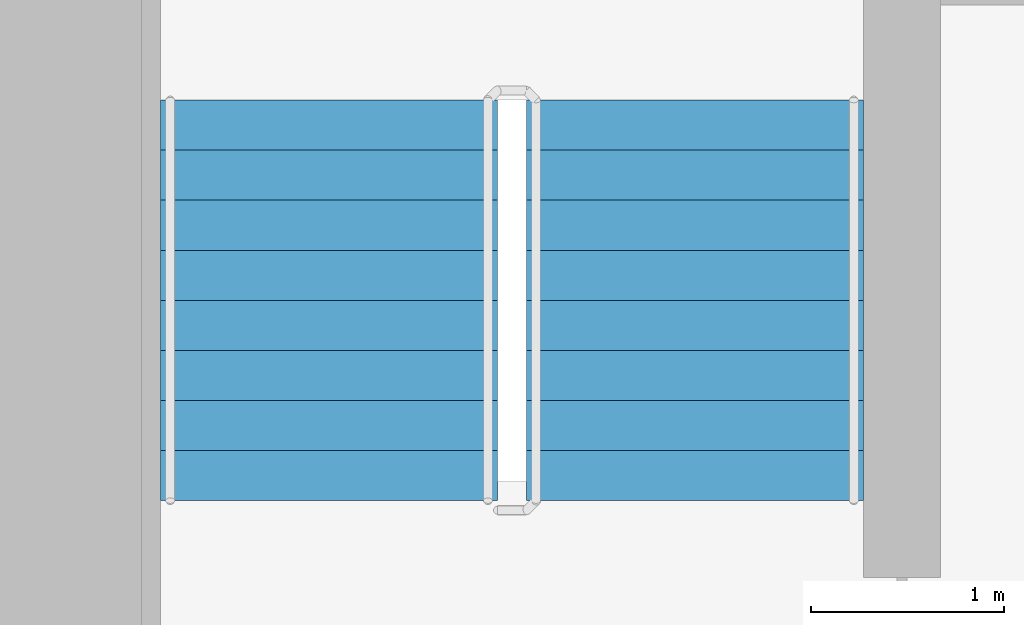
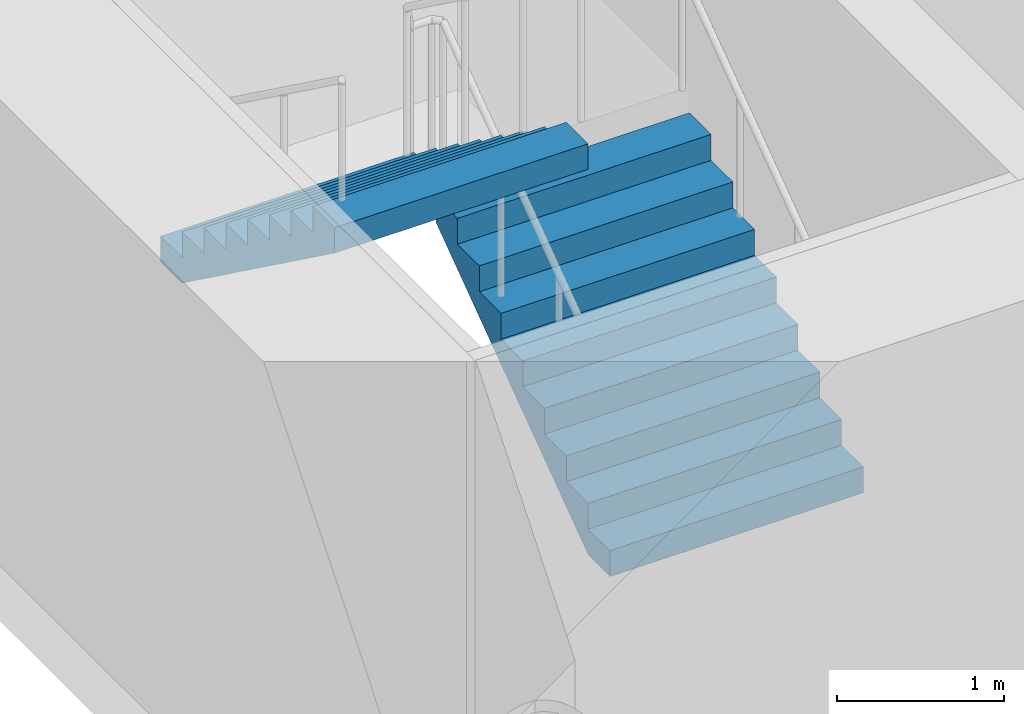
# One storey, part 19 of 21: 2 stair flights, 1 element without a shape of its own.
"""IFC4 building model written with IfcOpenShell, lengths in metres."""

from ifc_helpers import new_model, si_unit, direction, frame, origin, place, context, subcontext, project, spatial, faceted_brep, material, type_object, element, aggregate, save


model = new_model("IFC4")

# Units and contexts
model_context = context("Model", 3, precision=1e-05, world=origin(), true_north=direction((0.0, 1.0)))
body_context = subcontext(model_context, "Body", "Model", "MODEL_VIEW")
ifc_project = project(units=[si_unit("LENGTHUNIT", "METRE"), si_unit("AREAUNIT", "SQUARE_METRE"), si_unit("VOLUMEUNIT", "CUBIC_METRE"), si_unit("PLANEANGLEUNIT", "RADIAN"), si_unit("MASSUNIT", "GRAM", prefix="KILO")], contexts=[model_context])

# Site, building, storey
site_placement = place(None, origin())
site = spatial("IfcSite", under=ifc_project, at=site_placement, CompositionType="ELEMENT")
building_placement = place(site_placement, origin())
building = spatial("IfcBuilding", under=site, at=building_placement, Name="Ipe Terrace Towers", CompositionType="ELEMENT")
storey_placement = place(building_placement, frame((0.0, 0.0, 27.89990234375)))
storey = spatial("IfcBuildingStorey", under=building, at=storey_placement, Name="L06", CompositionType="ELEMENT", Elevation=27.89990234375)

# Stair, stair flights
ifc_material_1 = material(Name="Concrete C30/37", Category="concrete")
stair_type = type_object("IfcStairType", Name="Protected exit stair", PredefinedType="HALF_TURN_STAIR", material=ifc_material_1)
stair_placement = place(storey_placement, origin())
stair = element("IfcStair", 1, at=stair_placement, inside=storey, type_object=stair_type, Name="L06 Exit stair T2-C1", PredefinedType="HALF_TURN_STAIR")
ifc_material_2 = material(Name="Concrete C30/37", Category="concrete")
stair_flight_type = type_object("IfcStairFlightType", Name="Exit stair flight 1750", PredefinedType="STRAIGHT", material=ifc_material_2)
stair_flight_1_placement = place(storey_placement, frame((33.22509765625, 9.699951171875, 0.0), z_axis=(0.0, 0.0, 1.0), x_axis=(0.0, 1.0, 0.0)))
stair_flight_1 = element("IfcStairFlight", 2, at=stair_flight_1_placement, type_object=stair_flight_type, Name="T2-ST1 flight 1", NumberOfRisers=9, NumberOfTreads=8, PredefinedType="STRAIGHT", RiserHeight=0.188888889, TreadLength=0.26, context=body_context, shape_type="Brep", body=[
    faceted_brep([(0.255126953125, -0.875, 0.0), (2.080078125, -0.875, 1.325927734375), (2.080078125, -0.875, 1.51123046875), (1.820068359375, -0.875, 1.51123046875), (1.820068359375, -0.875, 1.322265625), (1.56005859375, -0.875, 1.322265625), (1.56005859375, -0.875, 1.13330078125), (1.300048828125, -0.875, 1.13330078125), (1.300048828125, -0.875, 0.9443359375), (1.0400390625, -0.875, 0.9443359375), (1.0400390625, -0.875, 0.755615234375), (0.780029296875, -0.875, 0.755615234375), (0.780029296875, -0.875, 0.566650390625), (0.52001953125, -0.875, 0.566650390625), (0.52001953125, -0.875, 0.377685546875), (0.260009765625, -0.875, 0.377685546875), (0.260009765625, -0.875, 0.18896484375), (0.0, -0.875, 0.18896484375), (0.0, -0.875, 0.0), (0.0, 0.875, 0.0), (0.0, 0.875, 0.18896484375), (0.260009765625, 0.875, 0.18896484375), (0.260009765625, 0.875, 0.377685546875), (0.52001953125, 0.875, 0.377685546875), (0.52001953125, 0.875, 0.566650390625), (0.780029296875, 0.875, 0.566650390625), (0.780029296875, 0.875, 0.755615234375), (1.0400390625, 0.875, 0.755615234375), (1.0400390625, 0.875, 0.9443359375), (1.300048828125, 0.875, 0.9443359375), (1.300048828125, 0.875, 1.13330078125), (1.56005859375, 0.875, 1.13330078125), (1.56005859375, 0.875, 1.322265625), (1.820068359375, 0.875, 1.322265625), (1.820068359375, 0.875, 1.51123046875), (2.080078125, 0.875, 1.51123046875), (2.080078125, 0.875, 1.325927734375), (0.255126953125, 0.875, 0.0), (0.0, -0.300048828125, 0.18896484375), (0.0, -0.1201171875, 0.18896484375), (0.0, -0.06005859375, 0.18896484375), (0.0, -0.030029296875, 0.18896484375), (0.0, -0.010009765625, 0.18896484375), (0.0, 0.0, 0.18896484375), (0.0, 0.010009765625, 0.18896484375), (0.0, 0.030029296875, 0.18896484375), (0.0, 0.06005859375, 0.18896484375), (0.0, 0.1201171875, 0.18896484375), (0.0, 0.300048828125, 0.18896484375), (0.0, 0.300048828125, 0.0), (0.0, 0.1201171875, 0.0), (0.0, 0.06005859375, 0.0), (0.0, 0.030029296875, 0.0), (0.0, 0.010009765625, 0.0), (0.0, 0.0, 0.0), (0.0, -0.010009765625, 0.0), (0.0, -0.030029296875, 0.0), (0.0, -0.06005859375, 0.0), (0.0, -0.1201171875, 0.0), (0.0, -0.300048828125, 0.0), (0.260009765625, -0.300048828125, 0.18896484375), (0.260009765625, -0.1201171875, 0.18896484375), (0.260009765625, -0.06005859375, 0.18896484375), (0.260009765625, -0.030029296875, 0.18896484375), (0.260009765625, -0.010009765625, 0.18896484375), (0.260009765625, 0.0, 0.18896484375), (0.260009765625, 0.010009765625, 0.18896484375), (0.260009765625, 0.030029296875, 0.18896484375), (0.260009765625, 0.06005859375, 0.18896484375), (0.260009765625, 0.1201171875, 0.18896484375), (0.260009765625, 0.300048828125, 0.18896484375), (0.260009765625, -0.300048828125, 0.377685546875), (0.260009765625, -0.1201171875, 0.377685546875), (0.260009765625, -0.06005859375, 0.377685546875), (0.260009765625, -0.030029296875, 0.377685546875), (0.260009765625, -0.010009765625, 0.377685546875), (0.260009765625, 0.0, 0.377685546875), (0.260009765625, 0.010009765625, 0.377685546875), (0.260009765625, 0.030029296875, 0.377685546875), (0.260009765625, 0.06005859375, 0.377685546875), (0.260009765625, 0.1201171875, 0.377685546875), (0.260009765625, 0.300048828125, 0.377685546875), (0.52001953125, -0.300048828125, 0.377685546875), (0.52001953125, -0.1201171875, 0.377685546875), (0.52001953125, -0.06005859375, 0.377685546875), (0.52001953125, -0.030029296875, 0.377685546875), (0.52001953125, -0.010009765625, 0.377685546875), (0.52001953125, 0.0, 0.377685546875), (0.52001953125, 0.010009765625, 0.377685546875), (0.52001953125, 0.030029296875, 0.377685546875), (0.52001953125, 0.06005859375, 0.377685546875), (0.52001953125, 0.1201171875, 0.377685546875), (0.52001953125, 0.300048828125, 0.377685546875), (0.52001953125, -0.300048828125, 0.566650390625), (0.52001953125, -0.1201171875, 0.566650390625), (0.52001953125, -0.06005859375, 0.566650390625), (0.52001953125, -0.030029296875, 0.566650390625), (0.52001953125, -0.010009765625, 0.566650390625), (0.52001953125, 0.0, 0.566650390625), (0.52001953125, 0.010009765625, 0.566650390625), (0.52001953125, 0.030029296875, 0.566650390625), (0.52001953125, 0.06005859375, 0.566650390625), (0.52001953125, 0.1201171875, 0.566650390625), (0.52001953125, 0.300048828125, 0.566650390625), (0.780029296875, -0.300048828125, 0.566650390625), (0.780029296875, -0.1201171875, 0.566650390625), (0.780029296875, -0.06005859375, 0.566650390625), (0.780029296875, -0.030029296875, 0.566650390625), (0.780029296875, -0.010009765625, 0.566650390625), (0.780029296875, 0.0, 0.566650390625), (0.780029296875, 0.010009765625, 0.566650390625), (0.780029296875, 0.030029296875, 0.566650390625), (0.780029296875, 0.06005859375, 0.566650390625), (0.780029296875, 0.1201171875, 0.566650390625), (0.780029296875, 0.300048828125, 0.566650390625), (0.780029296875, -0.300048828125, 0.755615234375), (0.780029296875, -0.1201171875, 0.755615234375), (0.780029296875, -0.06005859375, 0.755615234375), (0.780029296875, -0.030029296875, 0.755615234375), (0.780029296875, -0.010009765625, 0.755615234375), (0.780029296875, 0.0, 0.755615234375), (0.780029296875, 0.010009765625, 0.755615234375), (0.780029296875, 0.030029296875, 0.755615234375), (0.780029296875, 0.06005859375, 0.755615234375), (0.780029296875, 0.1201171875, 0.755615234375), (0.780029296875, 0.300048828125, 0.755615234375), (1.0400390625, -0.300048828125, 0.755615234375), (1.0400390625, -0.1201171875, 0.755615234375), (1.0400390625, -0.06005859375, 0.755615234375), (1.0400390625, -0.030029296875, 0.755615234375), (1.0400390625, -0.010009765625, 0.755615234375), (1.0400390625, 0.0, 0.755615234375), (1.0400390625, 0.010009765625, 0.755615234375), (1.0400390625, 0.030029296875, 0.755615234375), (1.0400390625, 0.06005859375, 0.755615234375), (1.0400390625, 0.1201171875, 0.755615234375), (1.0400390625, 0.300048828125, 0.755615234375), (1.0400390625, -0.300048828125, 0.9443359375), (1.0400390625, -0.1201171875, 0.9443359375), (1.0400390625, -0.06005859375, 0.9443359375), (1.0400390625, -0.030029296875, 0.9443359375), (1.0400390625, -0.010009765625, 0.9443359375), (1.0400390625, 0.0, 0.9443359375), (1.0400390625, 0.010009765625, 0.9443359375), (1.0400390625, 0.030029296875, 0.9443359375), (1.0400390625, 0.06005859375, 0.9443359375), (1.0400390625, 0.1201171875, 0.9443359375), (1.0400390625, 0.300048828125, 0.9443359375), (1.300048828125, -0.300048828125, 0.9443359375), (1.300048828125, -0.1201171875, 0.9443359375), (1.300048828125, -0.06005859375, 0.9443359375), (1.300048828125, -0.030029296875, 0.9443359375), (1.300048828125, -0.010009765625, 0.9443359375), (1.300048828125, 0.0, 0.9443359375), (1.300048828125, 0.010009765625, 0.9443359375), (1.300048828125, 0.030029296875, 0.9443359375), (1.300048828125, 0.06005859375, 0.9443359375), (1.300048828125, 0.1201171875, 0.9443359375), (1.300048828125, 0.300048828125, 0.9443359375), (1.300048828125, -0.300048828125, 1.13330078125), (1.300048828125, -0.1201171875, 1.13330078125), (1.300048828125, -0.06005859375, 1.13330078125), (1.300048828125, -0.030029296875, 1.13330078125), (1.300048828125, -0.010009765625, 1.13330078125), (1.300048828125, 0.0, 1.13330078125), (1.300048828125, 0.010009765625, 1.13330078125), (1.300048828125, 0.030029296875, 1.13330078125), (1.300048828125, 0.06005859375, 1.13330078125), (1.300048828125, 0.1201171875, 1.13330078125), (1.300048828125, 0.300048828125, 1.13330078125), (1.56005859375, -0.300048828125, 1.13330078125), (1.56005859375, -0.1201171875, 1.13330078125), (1.56005859375, -0.06005859375, 1.13330078125), (1.56005859375, -0.030029296875, 1.13330078125), (1.56005859375, -0.010009765625, 1.13330078125), (1.56005859375, 0.0, 1.13330078125), (1.56005859375, 0.010009765625, 1.13330078125), (1.56005859375, 0.030029296875, 1.13330078125), (1.56005859375, 0.06005859375, 1.13330078125), (1.56005859375, 0.1201171875, 1.13330078125), (1.56005859375, 0.300048828125, 1.13330078125), (1.56005859375, -0.300048828125, 1.322265625), (1.56005859375, -0.1201171875, 1.322265625), (1.56005859375, -0.06005859375, 1.322265625), (1.56005859375, -0.030029296875, 1.322265625), (1.56005859375, -0.010009765625, 1.322265625), (1.56005859375, 0.0, 1.322265625), (1.56005859375, 0.010009765625, 1.322265625), (1.56005859375, 0.030029296875, 1.322265625), (1.56005859375, 0.06005859375, 1.322265625), (1.56005859375, 0.1201171875, 1.322265625), (1.56005859375, 0.300048828125, 1.322265625), (1.820068359375, -0.300048828125, 1.322265625), (1.820068359375, -0.1201171875, 1.322265625), (1.820068359375, -0.06005859375, 1.322265625), (1.820068359375, -0.030029296875, 1.322265625), (1.820068359375, -0.010009765625, 1.322265625), (1.820068359375, 0.0, 1.322265625), (1.820068359375, 0.010009765625, 1.322265625), (1.820068359375, 0.030029296875, 1.322265625), (1.820068359375, 0.06005859375, 1.322265625), (1.820068359375, 0.1201171875, 1.322265625), (1.820068359375, 0.300048828125, 1.322265625), (1.820068359375, -0.300048828125, 1.51123046875), (1.820068359375, -0.1201171875, 1.51123046875), (1.820068359375, -0.06005859375, 1.51123046875), (1.820068359375, -0.030029296875, 1.51123046875), (1.820068359375, -0.010009765625, 1.51123046875), (1.820068359375, 0.0, 1.51123046875), (1.820068359375, 0.010009765625, 1.51123046875), (1.820068359375, 0.030029296875, 1.51123046875), (1.820068359375, 0.06005859375, 1.51123046875), (1.820068359375, 0.1201171875, 1.51123046875), (1.820068359375, 0.300048828125, 1.51123046875), (2.080078125, -0.300048828125, 1.51123046875), (2.080078125, -0.1201171875, 1.51123046875), (2.080078125, -0.06005859375, 1.51123046875), (2.080078125, -0.030029296875, 1.51123046875), (2.080078125, -0.010009765625, 1.51123046875), (2.080078125, 0.0, 1.51123046875), (2.080078125, 0.010009765625, 1.51123046875), (2.080078125, 0.030029296875, 1.51123046875), (2.080078125, 0.06005859375, 1.51123046875), (2.080078125, 0.1201171875, 1.51123046875), (2.080078125, 0.300048828125, 1.51123046875), (2.080078125, -0.300048828125, 1.325927734375), (2.080078125, -0.1201171875, 1.325927734375), (2.080078125, -0.06005859375, 1.325927734375), (2.080078125, -0.030029296875, 1.325927734375), (2.080078125, -0.010009765625, 1.325927734375), (2.080078125, 0.0, 1.325927734375), (2.080078125, 0.010009765625, 1.325927734375), (2.080078125, 0.030029296875, 1.325927734375), (2.080078125, 0.06005859375, 1.325927734375), (2.080078125, 0.1201171875, 1.325927734375), (2.080078125, 0.300048828125, 1.325927734375), (0.255126953125, -0.300048828125, 0.0), (0.255126953125, -0.1201171875, 0.0), (0.255126953125, -0.06005859375, 0.0), (0.255126953125, -0.030029296875, 0.0), (0.255126953125, -0.010009765625, 0.0), (0.255126953125, 0.0, 0.0), (0.255126953125, 0.010009765625, 0.0), (0.255126953125, 0.030029296875, 0.0), (0.255126953125, 0.06005859375, 0.0), (0.255126953125, 0.1201171875, 0.0), (0.255126953125, 0.300048828125, 0.0)], [[[0, 1, 2, 3, 4, 5, 6, 7, 8, 9, 10, 11, 12, 13, 14, 15, 16, 17, 18]], [[19, 20, 21, 22, 23, 24, 25, 26, 27, 28, 29, 30, 31, 32, 33, 34, 35, 36, 37]], [[17, 38, 39, 40, 41, 42, 43, 44, 45, 46, 47, 48, 20, 19, 49, 50, 51, 52, 53, 54, 55, 56, 57, 58, 59, 18]], [[16, 60, 61, 62, 63, 64, 65, 66, 67, 68, 69, 70, 21, 20, 48, 47, 46, 45, 44, 43, 42, 41, 40, 39, 38, 17]], [[15, 71, 72, 73, 74, 75, 76, 77, 78, 79, 80, 81, 22, 21, 70, 69, 68, 67, 66, 65, 64, 63, 62, 61, 60, 16]], [[14, 82, 83, 84, 85, 86, 87, 88, 89, 90, 91, 92, 23, 22, 81, 80, 79, 78, 77, 76, 75, 74, 73, 72, 71, 15]], [[13, 93, 94, 95, 96, 97, 98, 99, 100, 101, 102, 103, 24, 23, 92, 91, 90, 89, 88, 87, 86, 85, 84, 83, 82, 14]], [[12, 104, 105, 106, 107, 108, 109, 110, 111, 112, 113, 114, 25, 24, 103, 102, 101, 100, 99, 98, 97, 96, 95, 94, 93, 13]], [[11, 115, 116, 117, 118, 119, 120, 121, 122, 123, 124, 125, 26, 25, 114, 113, 112, 111, 110, 109, 108, 107, 106, 105, 104, 12]], [[10, 126, 127, 128, 129, 130, 131, 132, 133, 134, 135, 136, 27, 26, 125, 124, 123, 122, 121, 120, 119, 118, 117, 116, 115, 11]], [[9, 137, 138, 139, 140, 141, 142, 143, 144, 145, 146, 147, 28, 27, 136, 135, 134, 133, 132, 131, 130, 129, 128, 127, 126, 10]], [[8, 148, 149, 150, 151, 152, 153, 154, 155, 156, 157, 158, 29, 28, 147, 146, 145, 144, 143, 142, 141, 140, 139, 138, 137, 9]], [[7, 159, 160, 161, 162, 163, 164, 165, 166, 167, 168, 169, 30, 29, 158, 157, 156, 155, 154, 153, 152, 151, 150, 149, 148, 8]], [[6, 170, 171, 172, 173, 174, 175, 176, 177, 178, 179, 180, 31, 30, 169, 168, 167, 166, 165, 164, 163, 162, 161, 160, 159, 7]], [[5, 181, 182, 183, 184, 185, 186, 187, 188, 189, 190, 191, 32, 31, 180, 179, 178, 177, 176, 175, 174, 173, 172, 171, 170, 6]], [[4, 192, 193, 194, 195, 196, 197, 198, 199, 200, 201, 202, 33, 32, 191, 190, 189, 188, 187, 186, 185, 184, 183, 182, 181, 5]], [[3, 203, 204, 205, 206, 207, 208, 209, 210, 211, 212, 213, 34, 33, 202, 201, 200, 199, 198, 197, 196, 195, 194, 193, 192, 4]], [[2, 214, 215, 216, 217, 218, 219, 220, 221, 222, 223, 224, 35, 34, 213, 212, 211, 210, 209, 208, 207, 206, 205, 204, 203, 3]], [[1, 225, 226, 227, 228, 229, 230, 231, 232, 233, 234, 235, 36, 35, 224, 223, 222, 221, 220, 219, 218, 217, 216, 215, 214, 2]], [[0, 236, 237, 238, 239, 240, 241, 242, 243, 244, 245, 246, 37, 36, 235, 234, 233, 232, 231, 230, 229, 228, 227, 226, 225, 1]], [[18, 59, 58, 57, 56, 55, 54, 53, 52, 51, 50, 49, 19, 37, 246, 245, 244, 243, 242, 241, 240, 239, 238, 237, 236, 0]]]),
])
stair_flight_2_placement = place(storey_placement, frame((31.324951171875, 11.780029296875, 1.7001953125), z_axis=(0.0, 0.0, 1.0), x_axis=(0.0, -1.0, 0.0)))
stair_flight_2 = element("IfcStairFlight", 3, at=stair_flight_2_placement, type_object=stair_flight_type, Name="T2-ST1 flight 2", NumberOfRisers=9, NumberOfTreads=8, PredefinedType="STRAIGHT", RiserHeight=0.188888889, TreadLength=0.26, context=body_context, shape_type="Brep", body=[
    faceted_brep([(0.255126953125, -0.875, 0.0), (2.080078125, -0.875, 1.325927734375), (2.080078125, -0.875, 1.51123046875), (1.820068359375, -0.875, 1.51123046875), (1.820068359375, -0.875, 1.322265625), (1.56005859375, -0.875, 1.322265625), (1.56005859375, -0.875, 1.13330078125), (1.300048828125, -0.875, 1.13330078125), (1.300048828125, -0.875, 0.9443359375), (1.0400390625, -0.875, 0.9443359375), (1.0400390625, -0.875, 0.755615234375), (0.780029296875, -0.875, 0.755615234375), (0.780029296875, -0.875, 0.566650390625), (0.52001953125, -0.875, 0.566650390625), (0.52001953125, -0.875, 0.377685546875), (0.260009765625, -0.875, 0.377685546875), (0.260009765625, -0.875, 0.18896484375), (0.0, -0.875, 0.18896484375), (0.0, -0.875, 0.0), (0.0, 0.875, 0.0), (0.0, 0.875, 0.18896484375), (0.260009765625, 0.875, 0.18896484375), (0.260009765625, 0.875, 0.377685546875), (0.52001953125, 0.875, 0.377685546875), (0.52001953125, 0.875, 0.566650390625), (0.780029296875, 0.875, 0.566650390625), (0.780029296875, 0.875, 0.755615234375), (1.0400390625, 0.875, 0.755615234375), (1.0400390625, 0.875, 0.9443359375), (1.300048828125, 0.875, 0.9443359375), (1.300048828125, 0.875, 1.13330078125), (1.56005859375, 0.875, 1.13330078125), (1.56005859375, 0.875, 1.322265625), (1.820068359375, 0.875, 1.322265625), (1.820068359375, 0.875, 1.51123046875), (2.080078125, 0.875, 1.51123046875), (2.080078125, 0.875, 1.325927734375), (0.255126953125, 0.875, 0.0), (0.0, -0.300048828125, 0.18896484375), (0.0, -0.1201171875, 0.18896484375), (0.0, -0.06005859375, 0.18896484375), (0.0, -0.030029296875, 0.18896484375), (0.0, -0.010009765625, 0.18896484375), (0.0, 0.0, 0.18896484375), (0.0, 0.010009765625, 0.18896484375), (0.0, 0.030029296875, 0.18896484375), (0.0, 0.06005859375, 0.18896484375), (0.0, 0.1201171875, 0.18896484375), (0.0, 0.300048828125, 0.18896484375), (0.0, 0.300048828125, 0.0), (0.0, 0.1201171875, 0.0), (0.0, 0.06005859375, 0.0), (0.0, 0.030029296875, 0.0), (0.0, 0.010009765625, 0.0), (0.0, 0.0, 0.0), (0.0, -0.010009765625, 0.0), (0.0, -0.030029296875, 0.0), (0.0, -0.06005859375, 0.0), (0.0, -0.1201171875, 0.0), (0.0, -0.300048828125, 0.0), (0.260009765625, -0.300048828125, 0.18896484375), (0.260009765625, -0.1201171875, 0.18896484375), (0.260009765625, -0.06005859375, 0.18896484375), (0.260009765625, -0.030029296875, 0.18896484375), (0.260009765625, -0.010009765625, 0.18896484375), (0.260009765625, 0.0, 0.18896484375), (0.260009765625, 0.010009765625, 0.18896484375), (0.260009765625, 0.030029296875, 0.18896484375), (0.260009765625, 0.06005859375, 0.18896484375), (0.260009765625, 0.1201171875, 0.18896484375), (0.260009765625, 0.300048828125, 0.18896484375), (0.260009765625, -0.300048828125, 0.377685546875), (0.260009765625, -0.1201171875, 0.377685546875), (0.260009765625, -0.06005859375, 0.377685546875), (0.260009765625, -0.030029296875, 0.377685546875), (0.260009765625, -0.010009765625, 0.377685546875), (0.260009765625, 0.0, 0.377685546875), (0.260009765625, 0.010009765625, 0.377685546875), (0.260009765625, 0.030029296875, 0.377685546875), (0.260009765625, 0.06005859375, 0.377685546875), (0.260009765625, 0.1201171875, 0.377685546875), (0.260009765625, 0.300048828125, 0.377685546875), (0.52001953125, -0.300048828125, 0.377685546875), (0.52001953125, -0.1201171875, 0.377685546875), (0.52001953125, -0.06005859375, 0.377685546875), (0.52001953125, -0.030029296875, 0.377685546875), (0.52001953125, -0.010009765625, 0.377685546875), (0.52001953125, 0.0, 0.377685546875), (0.52001953125, 0.010009765625, 0.377685546875), (0.52001953125, 0.030029296875, 0.377685546875), (0.52001953125, 0.06005859375, 0.377685546875), (0.52001953125, 0.1201171875, 0.377685546875), (0.52001953125, 0.300048828125, 0.377685546875), (0.52001953125, -0.300048828125, 0.566650390625), (0.52001953125, -0.1201171875, 0.566650390625), (0.52001953125, -0.06005859375, 0.566650390625), (0.52001953125, -0.030029296875, 0.566650390625), (0.52001953125, -0.010009765625, 0.566650390625), (0.52001953125, 0.0, 0.566650390625), (0.52001953125, 0.010009765625, 0.566650390625), (0.52001953125, 0.030029296875, 0.566650390625), (0.52001953125, 0.06005859375, 0.566650390625), (0.52001953125, 0.1201171875, 0.566650390625), (0.52001953125, 0.300048828125, 0.566650390625), (0.780029296875, -0.300048828125, 0.566650390625), (0.780029296875, -0.1201171875, 0.566650390625), (0.780029296875, -0.06005859375, 0.566650390625), (0.780029296875, -0.030029296875, 0.566650390625), (0.780029296875, -0.010009765625, 0.566650390625), (0.780029296875, 0.0, 0.566650390625), (0.780029296875, 0.010009765625, 0.566650390625), (0.780029296875, 0.030029296875, 0.566650390625), (0.780029296875, 0.06005859375, 0.566650390625), (0.780029296875, 0.1201171875, 0.566650390625), (0.780029296875, 0.300048828125, 0.566650390625), (0.780029296875, -0.300048828125, 0.755615234375), (0.780029296875, -0.1201171875, 0.755615234375), (0.780029296875, -0.06005859375, 0.755615234375), (0.780029296875, -0.030029296875, 0.755615234375), (0.780029296875, -0.010009765625, 0.755615234375), (0.780029296875, 0.0, 0.755615234375), (0.780029296875, 0.010009765625, 0.755615234375), (0.780029296875, 0.030029296875, 0.755615234375), (0.780029296875, 0.06005859375, 0.755615234375), (0.780029296875, 0.1201171875, 0.755615234375), (0.780029296875, 0.300048828125, 0.755615234375), (1.0400390625, -0.300048828125, 0.755615234375), (1.0400390625, -0.1201171875, 0.755615234375), (1.0400390625, -0.06005859375, 0.755615234375), (1.0400390625, -0.030029296875, 0.755615234375), (1.0400390625, -0.010009765625, 0.755615234375), (1.0400390625, 0.0, 0.755615234375), (1.0400390625, 0.010009765625, 0.755615234375), (1.0400390625, 0.030029296875, 0.755615234375), (1.0400390625, 0.06005859375, 0.755615234375), (1.0400390625, 0.1201171875, 0.755615234375), (1.0400390625, 0.300048828125, 0.755615234375), (1.0400390625, -0.300048828125, 0.9443359375), (1.0400390625, -0.1201171875, 0.9443359375), (1.0400390625, -0.06005859375, 0.9443359375), (1.0400390625, -0.030029296875, 0.9443359375), (1.0400390625, -0.010009765625, 0.9443359375), (1.0400390625, 0.0, 0.9443359375), (1.0400390625, 0.010009765625, 0.9443359375), (1.0400390625, 0.030029296875, 0.9443359375), (1.0400390625, 0.06005859375, 0.9443359375), (1.0400390625, 0.1201171875, 0.9443359375), (1.0400390625, 0.300048828125, 0.9443359375), (1.300048828125, -0.300048828125, 0.9443359375), (1.300048828125, -0.1201171875, 0.9443359375), (1.300048828125, -0.06005859375, 0.9443359375), (1.300048828125, -0.030029296875, 0.9443359375), (1.300048828125, -0.010009765625, 0.9443359375), (1.300048828125, 0.0, 0.9443359375), (1.300048828125, 0.010009765625, 0.9443359375), (1.300048828125, 0.030029296875, 0.9443359375), (1.300048828125, 0.06005859375, 0.9443359375), (1.300048828125, 0.1201171875, 0.9443359375), (1.300048828125, 0.300048828125, 0.9443359375), (1.300048828125, -0.300048828125, 1.13330078125), (1.300048828125, -0.1201171875, 1.13330078125), (1.300048828125, -0.06005859375, 1.13330078125), (1.300048828125, -0.030029296875, 1.13330078125), (1.300048828125, -0.010009765625, 1.13330078125), (1.300048828125, 0.0, 1.13330078125), (1.300048828125, 0.010009765625, 1.13330078125), (1.300048828125, 0.030029296875, 1.13330078125), (1.300048828125, 0.06005859375, 1.13330078125), (1.300048828125, 0.1201171875, 1.13330078125), (1.300048828125, 0.300048828125, 1.13330078125), (1.56005859375, -0.300048828125, 1.13330078125), (1.56005859375, -0.1201171875, 1.13330078125), (1.56005859375, -0.06005859375, 1.13330078125), (1.56005859375, -0.030029296875, 1.13330078125), (1.56005859375, -0.010009765625, 1.13330078125), (1.56005859375, 0.0, 1.13330078125), (1.56005859375, 0.010009765625, 1.13330078125), (1.56005859375, 0.030029296875, 1.13330078125), (1.56005859375, 0.06005859375, 1.13330078125), (1.56005859375, 0.1201171875, 1.13330078125), (1.56005859375, 0.300048828125, 1.13330078125), (1.56005859375, -0.300048828125, 1.322265625), (1.56005859375, -0.1201171875, 1.322265625), (1.56005859375, -0.06005859375, 1.322265625), (1.56005859375, -0.030029296875, 1.322265625), (1.56005859375, -0.010009765625, 1.322265625), (1.56005859375, 0.0, 1.322265625), (1.56005859375, 0.010009765625, 1.322265625), (1.56005859375, 0.030029296875, 1.322265625), (1.56005859375, 0.06005859375, 1.322265625), (1.56005859375, 0.1201171875, 1.322265625), (1.56005859375, 0.300048828125, 1.322265625), (1.820068359375, -0.300048828125, 1.322265625), (1.820068359375, -0.1201171875, 1.322265625), (1.820068359375, -0.06005859375, 1.322265625), (1.820068359375, -0.030029296875, 1.322265625), (1.820068359375, -0.010009765625, 1.322265625), (1.820068359375, 0.0, 1.322265625), (1.820068359375, 0.010009765625, 1.322265625), (1.820068359375, 0.030029296875, 1.322265625), (1.820068359375, 0.06005859375, 1.322265625), (1.820068359375, 0.1201171875, 1.322265625), (1.820068359375, 0.300048828125, 1.322265625), (1.820068359375, -0.300048828125, 1.51123046875), (1.820068359375, -0.1201171875, 1.51123046875), (1.820068359375, -0.06005859375, 1.51123046875), (1.820068359375, -0.030029296875, 1.51123046875), (1.820068359375, -0.010009765625, 1.51123046875), (1.820068359375, 0.0, 1.51123046875), (1.820068359375, 0.010009765625, 1.51123046875), (1.820068359375, 0.030029296875, 1.51123046875), (1.820068359375, 0.06005859375, 1.51123046875), (1.820068359375, 0.1201171875, 1.51123046875), (1.820068359375, 0.300048828125, 1.51123046875), (2.080078125, -0.300048828125, 1.51123046875), (2.080078125, -0.1201171875, 1.51123046875), (2.080078125, -0.06005859375, 1.51123046875), (2.080078125, -0.030029296875, 1.51123046875), (2.080078125, -0.010009765625, 1.51123046875), (2.080078125, 0.0, 1.51123046875), (2.080078125, 0.010009765625, 1.51123046875), (2.080078125, 0.030029296875, 1.51123046875), (2.080078125, 0.06005859375, 1.51123046875), (2.080078125, 0.1201171875, 1.51123046875), (2.080078125, 0.300048828125, 1.51123046875), (2.080078125, -0.300048828125, 1.325927734375), (2.080078125, -0.1201171875, 1.325927734375), (2.080078125, -0.06005859375, 1.325927734375), (2.080078125, -0.030029296875, 1.325927734375), (2.080078125, -0.010009765625, 1.325927734375), (2.080078125, 0.0, 1.325927734375), (2.080078125, 0.010009765625, 1.325927734375), (2.080078125, 0.030029296875, 1.325927734375), (2.080078125, 0.06005859375, 1.325927734375), (2.080078125, 0.1201171875, 1.325927734375), (2.080078125, 0.300048828125, 1.325927734375), (0.255126953125, -0.300048828125, 0.0), (0.255126953125, -0.1201171875, 0.0), (0.255126953125, -0.06005859375, 0.0), (0.255126953125, -0.030029296875, 0.0), (0.255126953125, -0.010009765625, 0.0), (0.255126953125, 0.0, 0.0), (0.255126953125, 0.010009765625, 0.0), (0.255126953125, 0.030029296875, 0.0), (0.255126953125, 0.06005859375, 0.0), (0.255126953125, 0.1201171875, 0.0), (0.255126953125, 0.300048828125, 0.0)], [[[0, 1, 2, 3, 4, 5, 6, 7, 8, 9, 10, 11, 12, 13, 14, 15, 16, 17, 18]], [[19, 20, 21, 22, 23, 24, 25, 26, 27, 28, 29, 30, 31, 32, 33, 34, 35, 36, 37]], [[17, 38, 39, 40, 41, 42, 43, 44, 45, 46, 47, 48, 20, 19, 49, 50, 51, 52, 53, 54, 55, 56, 57, 58, 59, 18]], [[16, 60, 61, 62, 63, 64, 65, 66, 67, 68, 69, 70, 21, 20, 48, 47, 46, 45, 44, 43, 42, 41, 40, 39, 38, 17]], [[15, 71, 72, 73, 74, 75, 76, 77, 78, 79, 80, 81, 22, 21, 70, 69, 68, 67, 66, 65, 64, 63, 62, 61, 60, 16]], [[14, 82, 83, 84, 85, 86, 87, 88, 89, 90, 91, 92, 23, 22, 81, 80, 79, 78, 77, 76, 75, 74, 73, 72, 71, 15]], [[13, 93, 94, 95, 96, 97, 98, 99, 100, 101, 102, 103, 24, 23, 92, 91, 90, 89, 88, 87, 86, 85, 84, 83, 82, 14]], [[12, 104, 105, 106, 107, 108, 109, 110, 111, 112, 113, 114, 25, 24, 103, 102, 101, 100, 99, 98, 97, 96, 95, 94, 93, 13]], [[11, 115, 116, 117, 118, 119, 120, 121, 122, 123, 124, 125, 26, 25, 114, 113, 112, 111, 110, 109, 108, 107, 106, 105, 104, 12]], [[10, 126, 127, 128, 129, 130, 131, 132, 133, 134, 135, 136, 27, 26, 125, 124, 123, 122, 121, 120, 119, 118, 117, 116, 115, 11]], [[9, 137, 138, 139, 140, 141, 142, 143, 144, 145, 146, 147, 28, 27, 136, 135, 134, 133, 132, 131, 130, 129, 128, 127, 126, 10]], [[8, 148, 149, 150, 151, 152, 153, 154, 155, 156, 157, 158, 29, 28, 147, 146, 145, 144, 143, 142, 141, 140, 139, 138, 137, 9]], [[7, 159, 160, 161, 162, 163, 164, 165, 166, 167, 168, 169, 30, 29, 158, 157, 156, 155, 154, 153, 152, 151, 150, 149, 148, 8]], [[6, 170, 171, 172, 173, 174, 175, 176, 177, 178, 179, 180, 31, 30, 169, 168, 167, 166, 165, 164, 163, 162, 161, 160, 159, 7]], [[5, 181, 182, 183, 184, 185, 186, 187, 188, 189, 190, 191, 32, 31, 180, 179, 178, 177, 176, 175, 174, 173, 172, 171, 170, 6]], [[4, 192, 193, 194, 195, 196, 197, 198, 199, 200, 201, 202, 33, 32, 191, 190, 189, 188, 187, 186, 185, 184, 183, 182, 181, 5]], [[3, 203, 204, 205, 206, 207, 208, 209, 210, 211, 212, 213, 34, 33, 202, 201, 200, 199, 198, 197, 196, 195, 194, 193, 192, 4]], [[2, 214, 215, 216, 217, 218, 219, 220, 221, 222, 223, 224, 35, 34, 213, 212, 211, 210, 209, 208, 207, 206, 205, 204, 203, 3]], [[1, 225, 226, 227, 228, 229, 230, 231, 232, 233, 234, 235, 36, 35, 224, 223, 222, 221, 220, 219, 218, 217, 216, 215, 214, 2]], [[0, 236, 237, 238, 239, 240, 241, 242, 243, 244, 245, 246, 37, 36, 235, 234, 233, 232, 231, 230, 229, 228, 227, 226, 225, 1]], [[18, 59, 58, 57, 56, 55, 54, 53, 52, 51, 50, 49, 19, 37, 246, 245, 244, 243, 242, 241, 240, 239, 238, 237, 236, 0]]]),
])
aggregate(stair, [stair_flight_1, stair_flight_2])

save(model, "model.ifc")
